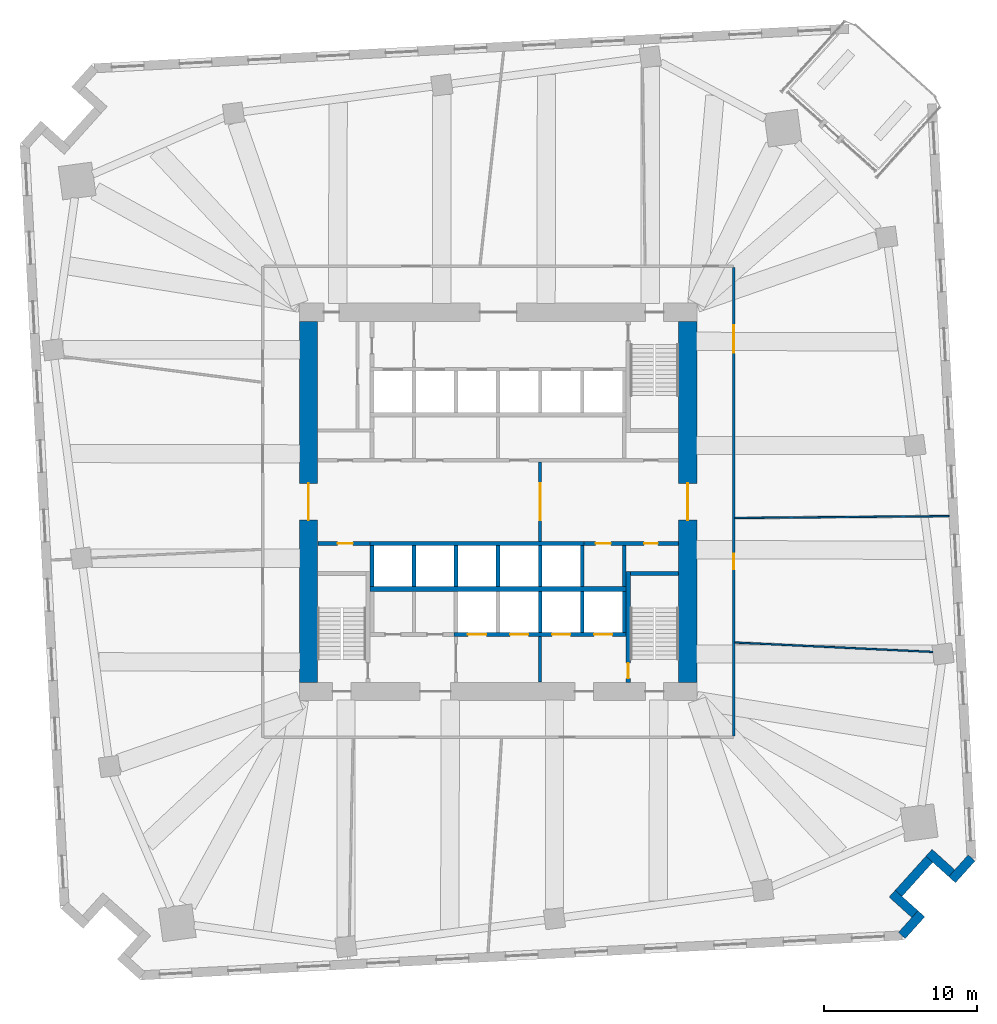
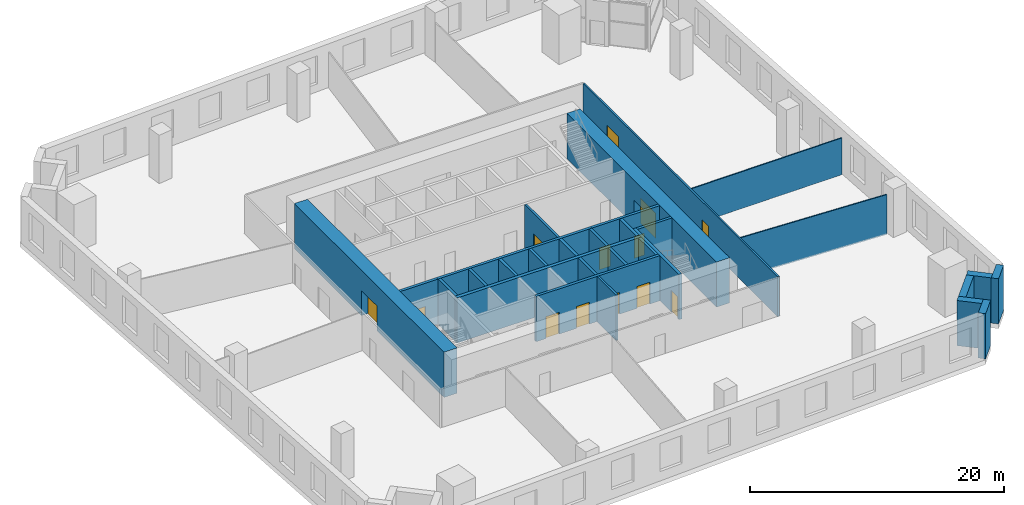
# One storey, part 5 of 10: 29 walls, 13 doors, 13 openings.
"""IFC4 building model written with IfcOpenShell, lengths in metres."""

from ifc_helpers import new_model, si_unit, direction, frame, frame_2d, origin, place, context, subcontext, project, spatial, rectangle, extrude, material, layer, layer_set, type_object, element, fill, save


model = new_model("IFC4")

# Units and contexts
model_context = context("Model", 3, precision=1e-05, world=origin(), true_north=direction((0.0, 1.0)))
body_context = subcontext(model_context, "Body", "Model", "MODEL_VIEW")
ifc_project = project(units=[si_unit("LENGTHUNIT", "METRE"), si_unit("AREAUNIT", "SQUARE_METRE"), si_unit("VOLUMEUNIT", "CUBIC_METRE"), si_unit("PLANEANGLEUNIT", "RADIAN"), si_unit("MASSUNIT", "GRAM", prefix="KILO")], contexts=[model_context])

# Site, building, storey
site_placement = place(None, origin())
site = spatial("IfcSite", under=ifc_project, at=site_placement, CompositionType="ELEMENT")
building_placement = place(site_placement, origin())
building = spatial("IfcBuilding", under=site, at=building_placement, Name="Dilmun Exchange Tower", CompositionType="ELEMENT")
storey_placement = place(building_placement, frame((0.0, 0.0, 27.300048828125)))
storey = spatial("IfcBuildingStorey", under=building, at=storey_placement, Name="L06", CompositionType="ELEMENT", Elevation=27.300048828125)

# Wall
ifc_material_1 = material(Name="Concrete C40/50", Category="concrete")
ifc_layer_1 = layer(ifc_material_1, 0.199951171875)
ifc_layer_set_1 = layer_set([ifc_layer_1], Name="Concrete C40/50")
wall_type_1 = type_object("IfcWallType", Name="Core partition wall 200", PredefinedType="PARTITIONING", material=ifc_layer_set_1)
wall_1_placement = place(storey_placement, frame((2.75, -11.794921875, 0.0), z_axis=(0.0, 0.0, 1.0), x_axis=(0.0, 1.0, 0.0)))
element("IfcWall", 1, at=wall_1_placement, inside=storey, type_object=wall_type_1, Name="L06 core partition wall 02", PredefinedType="PARTITIONING", context=body_context, shape_type="SweptSolid", body=[
    extrude(rectangle(XDim=2.989990234375, YDim=0.199951171875, at=frame_2d((1.4951171875, 0.0))), origin(), (0.0, 0.0, 1.0), 4.349853515625),
])

# Wall, opening, door
wall_2_placement = place(storey_placement, frame((2.75, -2.594970703125, 0.0), z_axis=(0.0, 0.0, 1.0), x_axis=(0.0, 1.0, 0.0)))
wall_2 = element("IfcWall", 2, at=wall_2_placement, inside=storey, type_object=wall_type_1, Name="L06 core partition wall 09", PredefinedType="PARTITIONING", context=body_context, shape_type="SweptSolid", body=[
    extrude(rectangle(XDim=5.18994140625, YDim=0.199951171875, at=frame_2d((2.594970703125, 0.0))), origin(), (0.0, 0.0, 1.0), 4.349853515625),
])
opening_1_placement = place(wall_2_placement, frame((1.39501953125, 0.0, 0.0)))
opening_1 = element("IfcOpeningElement", 3, at=opening_1_placement, cuts=wall_2, Name="Opening CD1", PredefinedType="OPENING", context=body_context, shape_type="SweptSolid", body=[
    extrude(rectangle(XDim=2.39990234375, YDim=2.39990234375, at=frame_2d((1.199951171875, 1.199951171875))), frame((0.0, 0.10986328125, 0.0), z_axis=(0.0, -1.0, 0.0), x_axis=(1.0, 0.0, 0.0)), (0.0, 0.0, 1.0), 0.219970703125),
])
ifc_material_2 = material(Name="Fire-rated steel door set", Category="steel")
door_type_1 = type_object("IfcDoorType", Name="Core lobby door 2400x2400", OperationType="DOUBLE_DOOR_DOUBLE_SWING", PredefinedType="DOOR", material=ifc_material_2)
door_1_placement = place(opening_1_placement, origin())
door_1 = element("IfcDoor", 4, at=door_1_placement, inside=storey, type_object=door_type_1, Name="L06 door Lift lobby east", OperationType="SINGLE_SWING_LEFT", OverallHeight=2.39990234375, OverallWidth=2.39990234375, PredefinedType="DOOR", context=body_context, shape_type="SweptSolid", body=[
    extrude(rectangle(XDim=2.39990234375, YDim=2.39990234375, at=frame_2d((1.199951171875, 1.199951171875))), frame((0.0, 0.02490234375, 0.0), z_axis=(0.0, -1.0, 0.0), x_axis=(1.0, 0.0, 0.0)), (0.0, 0.0, 1.0), 0.050048828125),
])
fill(opening_1, door_1)

# Wall
ifc_layer_2 = layer(ifc_material_1, 0.25)
ifc_layer_set_2 = layer_set([ifc_layer_2], Name="Concrete C40/50")
wall_type_2 = type_object("IfcWallType", Name="Core partition wall 250", PredefinedType="PARTITIONING", material=ifc_layer_set_2)
wall_3_placement = place(storey_placement, frame((8.25, -5.544921875, 0.0), z_axis=(0.0, 0.0, 1.0), x_axis=(0.0, 1.0, 0.0)))
element("IfcWall", 5, at=wall_3_placement, inside=storey, type_object=wall_type_2, Name="L06 core partition wall 06", PredefinedType="PARTITIONING", context=body_context, shape_type="SweptSolid", body=[
    extrude(rectangle(XDim=2.68994140625, YDim=0.25, at=frame_2d((1.344970703125, 0.0))), origin(), (0.0, 0.0, 1.0), 4.349853515625),
])

# Wall, opening, door
wall_4_placement = place(storey_placement, frame((-11.794921875, -2.72509765625, 0.0), z_axis=(0.0, 0.0, 1.0), x_axis=(1.0, 0.0, 0.0)))
wall_4 = element("IfcWall", 6, at=wall_4_placement, inside=storey, type_object=wall_type_2, Name="L06 core partition wall 07", PredefinedType="PARTITIONING", context=body_context, shape_type="SweptSolid", body=[
    extrude(rectangle(XDim=3.4150390625, YDim=0.25, at=frame_2d((1.70751953125, 0.0))), origin(), (0.0, 0.0, 1.0), 4.349853515625),
])
opening_2_placement = place(wall_4_placement, frame((1.294921875, 0.0, 0.0)))
opening_2 = element("IfcOpeningElement", 7, at=opening_2_placement, cuts=wall_4, Name="Opening CD4", PredefinedType="OPENING", context=body_context, shape_type="SweptSolid", body=[
    extrude(rectangle(XDim=1.0, YDim=2.10009765625, at=frame_2d((0.5, 1.050048828125))), frame((0.0, 0.135009765625, 0.0), z_axis=(0.0, -1.0, 0.0), x_axis=(1.0, 0.0, 0.0)), (0.0, 0.0, 1.0), 0.27001953125),
])
door_type_2 = type_object("IfcDoorType", Name="Core room door 1000x2100", OperationType="SINGLE_SWING_LEFT", PredefinedType="DOOR", material=ifc_material_2)
door_2_placement = place(opening_2_placement, origin())
door_2 = element("IfcDoor", 8, at=door_2_placement, inside=storey, type_object=door_type_2, Name="L06 door Accessible WC", OperationType="SINGLE_SWING_LEFT", OverallHeight=2.10009765625, OverallWidth=1.0, PredefinedType="DOOR", context=body_context, shape_type="SweptSolid", body=[
    extrude(rectangle(XDim=1.0, YDim=2.10009765625, at=frame_2d((0.5, 1.050048828125))), frame((0.0, 0.02490234375, 0.0), z_axis=(0.0, -1.0, 0.0), x_axis=(1.0, 0.0, 0.0)), (0.0, 0.0, 1.0), 0.050048828125),
])
fill(opening_2, door_2)

# Wall, openings, doors
wall_5_placement = place(storey_placement, frame((5.6298828125, -2.72509765625, 0.0), z_axis=(0.0, 0.0, 1.0), x_axis=(1.0, 0.0, 0.0)))
wall_5 = element("IfcWall", 9, at=wall_5_placement, inside=storey, type_object=wall_type_2, Name="L06 core partition wall 08", PredefinedType="PARTITIONING", context=body_context, shape_type="SweptSolid", body=[
    extrude(rectangle(XDim=6.1650390625, YDim=0.25, at=frame_2d((3.08251953125, 0.0))), origin(), (0.0, 0.0, 1.0), 4.349853515625),
])
opening_3_placement = place(wall_5_placement, frame((0.7451171875, 0.0, 0.0)))
opening_3 = element("IfcOpeningElement", 10, at=opening_3_placement, cuts=wall_5, Name="Opening CD4", PredefinedType="OPENING", context=body_context, shape_type="SweptSolid", body=[
    extrude(rectangle(XDim=1.0, YDim=2.10009765625, at=frame_2d((0.5, 1.050048828125))), frame((0.0, 0.135009765625, 0.0), z_axis=(0.0, -1.0, 0.0), x_axis=(1.0, 0.0, 0.0)), (0.0, 0.0, 1.0), 0.27001953125),
])
opening_4_placement = place(wall_5_placement, frame((3.919921875, 0.0, 0.0)))
opening_4 = element("IfcOpeningElement", 11, at=opening_4_placement, cuts=wall_5, Name="Opening CD6", PredefinedType="OPENING", context=body_context, shape_type="SweptSolid", body=[
    extrude(rectangle(XDim=0.89990234375, YDim=2.10009765625, at=frame_2d((0.449951171875, 1.050048828125))), frame((0.0, 0.135009765625, 0.0), z_axis=(0.0, -1.0, 0.0), x_axis=(1.0, 0.0, 0.0)), (0.0, 0.0, 1.0), 0.27001953125),
])
door_3_placement = place(opening_3_placement, origin())
door_3 = element("IfcDoor", 12, at=door_3_placement, inside=storey, type_object=door_type_2, Name="L06 door Cleaners' store", OperationType="SINGLE_SWING_LEFT", OverallHeight=2.10009765625, OverallWidth=1.0, PredefinedType="DOOR", context=body_context, shape_type="SweptSolid", body=[
    extrude(rectangle(XDim=1.0, YDim=2.10009765625, at=frame_2d((0.5, 1.050048828125))), frame((0.0, 0.02490234375, 0.0), z_axis=(0.0, -1.0, 0.0), x_axis=(1.0, 0.0, 0.0)), (0.0, 0.0, 1.0), 0.050048828125),
])
fill(opening_3, door_3)
door_type_3 = type_object("IfcDoorType", Name="Core room door 900x2100", OperationType="SINGLE_SWING_LEFT", PredefinedType="DOOR", material=ifc_material_2)
door_4_placement = place(opening_4_placement, origin())
door_4 = element("IfcDoor", 13, at=door_4_placement, inside=storey, type_object=door_type_3, Name="L06 door Comms riser", OperationType="SINGLE_SWING_LEFT", OverallHeight=2.10009765625, OverallWidth=0.89990234375, PredefinedType="DOOR", context=body_context, shape_type="SweptSolid", body=[
    extrude(rectangle(XDim=0.89990234375, YDim=2.10009765625, at=frame_2d((0.449951171875, 1.050048828125))), frame((0.0, 0.02490234375, 0.0), z_axis=(0.0, -1.0, 0.0), x_axis=(1.0, 0.0, 0.0)), (0.0, 0.0, 1.0), 0.050048828125),
])
fill(opening_4, door_4)

# Wall, opening, door
ifc_material_3 = material(Name="Concrete C80/95", Category="concrete")
ifc_layer_3 = layer(ifc_material_3, 1.199951171875)
ifc_layer_set_3 = layer_set([ifc_layer_3], Name="Concrete C80/95")
wall_type_3 = type_object("IfcWallType", Name="Core shear wall 1200 Concrete C80/95", PredefinedType="SHEAR", material=ifc_layer_set_3)
wall_6_placement = place(storey_placement, frame((12.39990234375, -11.800048828125, 0.0), z_axis=(0.0, 0.0, 1.0), x_axis=(0.0, 1.0, 0.0)))
wall_6 = element("IfcWall", 14, at=wall_6_placement, inside=storey, type_object=wall_type_3, Name="L06 core shear wall E", PredefinedType="SHEAR", context=body_context, shape_type="SweptSolid", body=[
    extrude(rectangle(XDim=23.60009765625, YDim=1.199951171875, at=frame_2d((11.800048828125, 0.0))), origin(), (0.0, 0.0, 1.0), 4.349853515625),
])
opening_5_placement = place(wall_6_placement, frame((10.60009765625, 0.0, 0.0)))
opening_5 = element("IfcOpeningElement", 15, at=opening_5_placement, cuts=wall_6, Name="Opening CD1", PredefinedType="OPENING", context=body_context, shape_type="SweptSolid", body=[
    extrude(rectangle(XDim=2.39990234375, YDim=2.39990234375, at=frame_2d((1.199951171875, 1.199951171875))), frame((0.0, 0.60986328125, 0.0), z_axis=(0.0, -1.0, 0.0), x_axis=(1.0, 0.0, 0.0)), (0.0, 0.0, 1.0), 1.219970703125),
])
door_5_placement = place(opening_5_placement, origin())
door_5 = element("IfcDoor", 16, at=door_5_placement, inside=storey, type_object=door_type_1, Name="L06 door Central lift lobby", OperationType="SINGLE_SWING_LEFT", OverallHeight=2.39990234375, OverallWidth=2.39990234375, PredefinedType="DOOR", context=body_context, shape_type="SweptSolid", body=[
    extrude(rectangle(XDim=2.39990234375, YDim=2.39990234375, at=frame_2d((1.199951171875, 1.199951171875))), frame((0.0, 0.02490234375, 0.0), z_axis=(0.0, -1.0, 0.0), x_axis=(1.0, 0.0, 0.0)), (0.0, 0.0, 1.0), 0.050048828125),
])
fill(opening_5, door_5)

wall_7_placement = place(storey_placement, frame((-12.39990234375, -11.800048828125, 0.0), z_axis=(0.0, 0.0, 1.0), x_axis=(0.0, 1.0, 0.0)))
wall_7 = element("IfcWall", 17, at=wall_7_placement, inside=storey, type_object=wall_type_3, Name="L06 core shear wall W", PredefinedType="SHEAR", context=body_context, shape_type="SweptSolid", body=[
    extrude(rectangle(XDim=23.60009765625, YDim=1.199951171875, at=frame_2d((11.800048828125, 0.0))), origin(), (0.0, 0.0, 1.0), 4.349853515625),
])
opening_6_placement = place(wall_7_placement, frame((10.60009765625, 0.0, 0.0)))
opening_6 = element("IfcOpeningElement", 18, at=opening_6_placement, cuts=wall_7, Name="Opening CD1", PredefinedType="OPENING", context=body_context, shape_type="SweptSolid", body=[
    extrude(rectangle(XDim=2.39990234375, YDim=2.39990234375, at=frame_2d((1.199951171875, 1.199951171875))), frame((0.0, 0.60986328125, 0.0), z_axis=(0.0, -1.0, 0.0), x_axis=(1.0, 0.0, 0.0)), (0.0, 0.0, 1.0), 1.219970703125),
])
door_6_placement = place(opening_6_placement, origin())
door_6 = element("IfcDoor", 19, at=door_6_placement, inside=storey, type_object=door_type_1, Name="L06 door Central lift lobby", OperationType="SINGLE_SWING_LEFT", OverallHeight=2.39990234375, OverallWidth=2.39990234375, PredefinedType="DOOR", context=body_context, shape_type="SweptSolid", body=[
    extrude(rectangle(XDim=2.39990234375, YDim=2.39990234375, at=frame_2d((1.199951171875, 1.199951171875))), frame((0.0, 0.02490234375, 0.0), z_axis=(0.0, -1.0, 0.0), x_axis=(1.0, 0.0, 0.0)), (0.0, 0.0, 1.0), 0.050048828125),
])
fill(opening_6, door_6)

# Wall, openings, doors
ifc_material_4 = material(Name="Corridor wall 150")
ifc_layer_4 = layer(ifc_material_4, 0.14990234375)
ifc_layer_set_4 = layer_set([ifc_layer_4], Name="Corridor wall 150")
wall_type_4 = type_object("IfcWallType", Name="Corridor wall 150", PredefinedType="PARTITIONING", material=ifc_layer_set_4)
wall_8_placement = place(storey_placement, frame((15.39990234375, -15.324951171875, 0.0), z_axis=(0.0, 0.0, 1.0), x_axis=(0.0, 1.0, 0.0)))
wall_8 = element("IfcWall", 20, at=wall_8_placement, inside=storey, type_object=wall_type_4, Name="Corridor wall", PredefinedType="PARTITIONING", context=body_context, shape_type="SweptSolid", body=[
    extrude(rectangle(XDim=30.64990234375, YDim=0.14990234375, at=frame_2d((15.324951171875, 0.0))), origin(), (0.0, 0.0, 1.0), 3.849853515625),
])
opening_7_placement = place(wall_8_placement, frame((25.067626953125, 0.0, 0.0)))
opening_7 = element("IfcOpeningElement", 21, at=opening_7_placement, cuts=wall_8, Name="Opening TF05-D11", PredefinedType="OPENING", context=body_context, shape_type="SweptSolid", body=[
    extrude(rectangle(XDim=1.800048828125, YDim=2.10009765625, at=frame_2d((0.89990234375, 1.050048828125))), frame((0.0, 0.0849609375, 0.0), z_axis=(0.0, -1.0, 0.0), x_axis=(1.0, 0.0, 0.0)), (0.0, 0.0, 1.0), 0.169921875),
])
opening_8_placement = place(wall_8_placement, frame((10.927490234375, 0.0, 0.0)))
opening_8 = element("IfcOpeningElement", 22, at=opening_8_placement, cuts=wall_8, Name="Opening TF05-D13", PredefinedType="OPENING", context=body_context, shape_type="SweptSolid", body=[
    extrude(rectangle(XDim=1.0, YDim=2.10009765625, at=frame_2d((0.5, 1.050048828125))), frame((0.0, 0.0849609375, 0.0), z_axis=(0.0, -1.0, 0.0), x_axis=(1.0, 0.0, 0.0)), (0.0, 0.0, 1.0), 0.169921875),
])
ifc_material_5 = material(Name="Fire door 1000 x 2100")
door_type_4 = type_object("IfcDoorType", Name="Fire door 1000 x 2100", OperationType="NOTDEFINED", PredefinedType="DOOR", material=ifc_material_5)
door_7_placement = place(opening_8_placement, frame((1.0, 0.0, 0.0), z_axis=(0.0, 0.0, 1.0), x_axis=(-1.0, 0.0, 0.0)))
door_7 = element("IfcDoor", 23, at=door_7_placement, inside=storey, type_object=door_type_4, Name="Door TF05-D13", OperationType="SINGLE_SWING_RIGHT", OverallHeight=2.10009765625, OverallWidth=1.0, PredefinedType="DOOR", context=body_context, shape_type="SweptSolid", body=[
    extrude(rectangle(XDim=1.0, YDim=2.10009765625, at=frame_2d((0.5, 1.050048828125))), frame((0.0, 0.02490234375, 0.0), z_axis=(0.0, -1.0, 0.0), x_axis=(1.0, 0.0, 0.0)), (0.0, 0.0, 1.0), 0.050048828125),
])
fill(opening_8, door_7)
ifc_material_6 = material(Name="Fire door pair 1800 x 2100")
door_type_5 = type_object("IfcDoorType", Name="Fire door pair 1800 x 2100", OperationType="NOTDEFINED", PredefinedType="DOOR", material=ifc_material_6)
door_8_placement = place(opening_7_placement, frame((1.800048828125, 0.0, 0.0), z_axis=(0.0, 0.0, 1.0), x_axis=(-1.0, 0.0, 0.0)))
door_8 = element("IfcDoor", 24, at=door_8_placement, inside=storey, type_object=door_type_5, Name="Door TF05-D11", OperationType="DOUBLE_DOOR_SINGLE_SWING", OverallHeight=2.10009765625, OverallWidth=1.800048828125, PredefinedType="DOOR", context=body_context, shape_type="SweptSolid", body=[
    extrude(rectangle(XDim=1.800048828125, YDim=2.10009765625, at=frame_2d((0.89990234375, 1.050048828125))), frame((0.0, 0.02490234375, 0.0), z_axis=(0.0, -1.0, 0.0), x_axis=(1.0, 0.0, 0.0)), (0.0, 0.0, 1.0), 0.050048828125),
])
fill(opening_7, door_8)

# Walls
ifc_layer_5 = layer(ifc_material_1, 0.300048828125)
ifc_layer_set_5 = layer_set([ifc_layer_5], Name="Concrete C40/50")
wall_type_5 = type_object("IfcWallType", Name="Lift shaft shared wall 300", PredefinedType="SOLIDWALL", material=ifc_layer_set_5)
wall_9_placement = place(storey_placement, frame((-8.375, -5.699951171875, 0.0), z_axis=(0.0, 0.0, 1.0), x_axis=(1.0, 0.0, 0.0)))
element("IfcWall", 25, at=wall_9_placement, inside=storey, type_object=wall_type_5, Name="L06 lift shaft rear wall S", PredefinedType="SOLIDWALL", context=body_context, shape_type="SweptSolid", body=[
    extrude(rectangle(XDim=16.75, YDim=0.300048828125, at=frame_2d((8.375, 0.0))), origin(), (0.0, 0.0, 1.0), 4.349853515625),
])
ifc_layer_6 = layer(ifc_material_1, 0.25)
ifc_layer_set_6 = layer_set([ifc_layer_6], Name="Concrete C40/50")
wall_type_6 = type_object("IfcWallType", Name="Lift shaft wall 250", PredefinedType="SOLIDWALL", material=ifc_layer_set_6)
wall_10_placement = place(storey_placement, frame((-8.375, -2.72509765625, 0.0), z_axis=(0.0, 0.0, 1.0), x_axis=(1.0, 0.0, 0.0)))
element("IfcWall", 26, at=wall_10_placement, inside=storey, type_object=wall_type_6, Name="L06 lift shaft front wall S1", PredefinedType="SOLIDWALL", context=body_context, shape_type="SweptSolid", body=[
    extrude(rectangle(XDim=14.0, YDim=0.25, at=frame_2d((7.0, 0.0))), origin(), (0.0, 0.0, 1.0), 4.349853515625),
])
for number, where, z_axis, x_axis, name in (
    (27, (-8.25, -5.550048828125, 0.0), (0.0, 0.0, 1.0), (0.0, 1.0, 0.0), "L06 lift shaft divider S10"),
    (28, (-5.5, -5.550048828125, 0.0), (0.0, 0.0, 1.0), (0.0, 1.0, 0.0), "L06 lift shaft divider S11"),
    (29, (-2.75, -5.550048828125, 0.0), (0.0, 0.0, 1.0), (0.0, 1.0, 0.0), "L06 lift shaft divider S12"),
    (30, (0.0, -5.550048828125, 0.0), (0.0, 0.0, 1.0), (0.0, 1.0, 0.0), "L06 lift shaft divider S13"),
    (31, (2.75, -5.550048828125, 0.0), (0.0, 0.0, 1.0), (0.0, 1.0, 0.0), "L06 lift shaft divider S14"),
    (32, (5.5, -5.550048828125, 0.0), (0.0, 0.0, 1.0), (0.0, 1.0, 0.0), "L06 lift shaft divider S15"),
):
    element("IfcWall", number, at=place(storey_placement, frame(where, z_axis=z_axis, x_axis=x_axis)), inside=storey, type_object=wall_type_6, Name=name, PredefinedType="SOLIDWALL", context=body_context, shape_type="SweptSolid", body=[
        extrude(rectangle(XDim=2.699951171875, YDim=0.25, at=frame_2d((1.35009765625, 0.0))), origin(), (0.0, 0.0, 1.0), 4.349853515625),
    ])

# Wall, openings, doors
wall_11_placement = place(storey_placement, frame((-2.875, -8.675048828125, 0.0), z_axis=(0.0, 0.0, 1.0), x_axis=(1.0, 0.0, 0.0)))
wall_11 = element("IfcWall", 33, at=wall_11_placement, inside=storey, type_object=wall_type_6, Name="L06 lift shaft front wall S2", PredefinedType="SOLIDWALL", context=body_context, shape_type="SweptSolid", body=[
    extrude(rectangle(XDim=11.25, YDim=0.25, at=frame_2d((5.625, 0.0))), origin(), (0.0, 0.0, 1.0), 4.349853515625),
])
opening_9_placement = place(wall_11_placement, frame((0.89990234375, 0.0, 0.0)))
opening_9 = element("IfcOpeningElement", 34, at=opening_9_placement, cuts=wall_11, Name="Opening LD", PredefinedType="OPENING", context=body_context, shape_type="SweptSolid", body=[
    extrude(rectangle(XDim=1.199951171875, YDim=2.10009765625, at=frame_2d((0.60009765625, 1.050048828125))), frame((0.0, 0.135009765625, 0.0), z_axis=(0.0, -1.0, 0.0), x_axis=(1.0, 0.0, 0.0)), (0.0, 0.0, 1.0), 0.27001953125),
])
opening_10_placement = place(wall_11_placement, frame((3.64990234375, 0.0, 0.0)))
opening_10 = element("IfcOpeningElement", 35, at=opening_10_placement, cuts=wall_11, Name="Opening LD", PredefinedType="OPENING", context=body_context, shape_type="SweptSolid", body=[
    extrude(rectangle(XDim=1.199951171875, YDim=2.10009765625, at=frame_2d((0.60009765625, 1.050048828125))), frame((0.0, 0.135009765625, 0.0), z_axis=(0.0, -1.0, 0.0), x_axis=(1.0, 0.0, 0.0)), (0.0, 0.0, 1.0), 0.27001953125),
])
opening_11_placement = place(wall_11_placement, frame((6.39990234375, 0.0, 0.0)))
opening_11 = element("IfcOpeningElement", 36, at=opening_11_placement, cuts=wall_11, Name="Opening LD", PredefinedType="OPENING", context=body_context, shape_type="SweptSolid", body=[
    extrude(rectangle(XDim=1.199951171875, YDim=2.10009765625, at=frame_2d((0.60009765625, 1.050048828125))), frame((0.0, 0.135009765625, 0.0), z_axis=(0.0, -1.0, 0.0), x_axis=(1.0, 0.0, 0.0)), (0.0, 0.0, 1.0), 0.27001953125),
])
opening_12_placement = place(wall_11_placement, frame((9.14990234375, 0.0, 0.0)))
opening_12 = element("IfcOpeningElement", 37, at=opening_12_placement, cuts=wall_11, Name="Opening LD", PredefinedType="OPENING", context=body_context, shape_type="SweptSolid", body=[
    extrude(rectangle(XDim=1.199951171875, YDim=2.10009765625, at=frame_2d((0.60009765625, 1.050048828125))), frame((0.0, 0.135009765625, 0.0), z_axis=(0.0, -1.0, 0.0), x_axis=(1.0, 0.0, 0.0)), (0.0, 0.0, 1.0), 0.27001953125),
])
door_type_6 = type_object("IfcDoorType", Name="Lift landing door 1200x2100", OperationType="DOUBLE_DOOR_SLIDING", PredefinedType="DOOR", material=ifc_material_2)
door_9_placement = place(opening_9_placement, origin())
door_9 = element("IfcDoor", 38, at=door_9_placement, inside=storey, type_object=door_type_6, Name="L06 landing door SV1", OperationType="DOUBLE_DOOR_SLIDING", OverallHeight=2.10009765625, OverallWidth=1.199951171875, PredefinedType="DOOR", context=body_context, shape_type="SweptSolid", body=[
    extrude(rectangle(XDim=1.199951171875, YDim=2.10009765625, at=frame_2d((0.60009765625, 1.050048828125))), frame((0.0, 0.02490234375, 0.0), z_axis=(0.0, -1.0, 0.0), x_axis=(1.0, 0.0, 0.0)), (0.0, 0.0, 1.0), 0.050048828125),
])
fill(opening_9, door_9)
door_10_placement = place(opening_10_placement, origin())
door_10 = element("IfcDoor", 39, at=door_10_placement, inside=storey, type_object=door_type_6, Name="L06 landing door SV2", OperationType="DOUBLE_DOOR_SLIDING", OverallHeight=2.10009765625, OverallWidth=1.199951171875, PredefinedType="DOOR", context=body_context, shape_type="SweptSolid", body=[
    extrude(rectangle(XDim=1.199951171875, YDim=2.10009765625, at=frame_2d((0.60009765625, 1.050048828125))), frame((0.0, 0.02490234375, 0.0), z_axis=(0.0, -1.0, 0.0), x_axis=(1.0, 0.0, 0.0)), (0.0, 0.0, 1.0), 0.050048828125),
])
fill(opening_10, door_10)
door_11_placement = place(opening_11_placement, origin())
door_11 = element("IfcDoor", 40, at=door_11_placement, inside=storey, type_object=door_type_6, Name="L06 landing door FF1", OperationType="DOUBLE_DOOR_SLIDING", OverallHeight=2.10009765625, OverallWidth=1.199951171875, PredefinedType="DOOR", context=body_context, shape_type="SweptSolid", body=[
    extrude(rectangle(XDim=1.199951171875, YDim=2.10009765625, at=frame_2d((0.60009765625, 1.050048828125))), frame((0.0, 0.02490234375, 0.0), z_axis=(0.0, -1.0, 0.0), x_axis=(1.0, 0.0, 0.0)), (0.0, 0.0, 1.0), 0.050048828125),
])
fill(opening_11, door_11)
door_12_placement = place(opening_12_placement, origin())
door_12 = element("IfcDoor", 41, at=door_12_placement, inside=storey, type_object=door_type_6, Name="L06 landing door FF2", OperationType="DOUBLE_DOOR_SLIDING", OverallHeight=2.10009765625, OverallWidth=1.199951171875, PredefinedType="DOOR", context=body_context, shape_type="SweptSolid", body=[
    extrude(rectangle(XDim=1.199951171875, YDim=2.10009765625, at=frame_2d((0.60009765625, 1.050048828125))), frame((0.0, 0.02490234375, 0.0), z_axis=(0.0, -1.0, 0.0), x_axis=(1.0, 0.0, 0.0)), (0.0, 0.0, 1.0), 0.050048828125),
])
fill(opening_12, door_12)

# Walls
for number, where, z_axis, x_axis, name in (
    (42, (2.75, -8.550048828125, 0.0), (0.0, 0.0, 1.0), (0.0, 1.0, 0.0), "L06 lift shaft divider S24"),
    (43, (5.5, -8.550048828125, 0.0), (0.0, 0.0, 1.0), (0.0, 1.0, 0.0), "L06 lift shaft divider S25"),
    (44, (8.25, -8.550048828125, 0.0), (0.0, 0.0, 1.0), (0.0, 1.0, 0.0), "L06 lift shaft divider S26"),
):
    element("IfcWall", number, at=place(storey_placement, frame(where, z_axis=z_axis, x_axis=x_axis)), inside=storey, type_object=wall_type_6, Name=name, PredefinedType="SOLIDWALL", context=body_context, shape_type="SweptSolid", body=[
        extrude(rectangle(XDim=2.699951171875, YDim=0.25, at=frame_2d((1.35009765625, 0.0))), origin(), (0.0, 0.0, 1.0), 4.349853515625),
    ])
ifc_material_7 = material(Name="Partition 100")
ifc_layer_7 = layer(ifc_material_7, 0.10009765625)
ifc_layer_set_7 = layer_set([ifc_layer_7], Name="Partition 100")
wall_type_7 = type_object("IfcWallType", Name="Partition 100", PredefinedType="PARTITIONING", material=ifc_layer_set_7)
wall_12_placement = place(storey_placement, frame((15.477294921875, -9.19970703125, 0.0), z_axis=(0.0, 0.0, 1.0), x_axis=(0.998880891155, -0.04729656738, 0.0)))
element("IfcWall", 45, at=wall_12_placement, inside=storey, type_object=wall_type_7, Name="Partition", PredefinedType="PARTITIONING", context=body_context, shape_type="SweptSolid", body=[
    extrude(rectangle(XDim=12.956298828125, YDim=0.10009765625, at=frame_2d((6.47802734375, 0.0))), origin(), (0.0, 0.0, 1.0), 3.849853515625),
])
wall_13_placement = place(storey_placement, frame((15.475341796875, -1.056396484375, 0.0), z_axis=(0.0, 0.0, 1.0), x_axis=(0.999960210713, 0.00892059359, 0.0)))
element("IfcWall", 46, at=wall_13_placement, inside=storey, type_object=wall_type_7, Name="Partition", PredefinedType="PARTITIONING", context=body_context, shape_type="SweptSolid", body=[
    extrude(rectangle(XDim=14.012451171875, YDim=0.10009765625, at=frame_2d((7.00634765625, 0.0))), origin(), (0.0, 0.0, 1.0), 3.550048828125),
])
ifc_material_8 = material(Name="Precast concrete C50/60", Category="concrete")
ifc_layer_8 = layer(ifc_material_8, 0.60009765625)
ifc_layer_set_8 = layer_set([ifc_layer_8], Name="Precast concrete C50/60")
wall_type_8 = type_object("IfcWallType", Name="Precast stone-clad wall 600", PredefinedType="STANDARD", material=ifc_layer_set_8)
wall_14_placement = place(storey_placement, frame((26.39599609375, -28.357421875, 0.0), z_axis=(0.0, 0.0, 1.0), x_axis=(0.669091754139, 0.743179806334, 0.0)))
element("IfcWall", 47, at=wall_14_placement, inside=storey, type_object=wall_type_8, Name="Facade wall L06-16", PredefinedType="STANDARD", context=body_context, shape_type="SweptSolid", body=[
    extrude(rectangle(XDim=1.911376953125, YDim=0.60009765625, at=frame_2d((0.95556640625, 0.0))), origin(), (0.0, 0.0, 1.0), 4.349853515625),
])
wall_15_placement = place(storey_placement, frame((27.251220703125, -26.959228515625, 0.0), z_axis=(0.0, 0.0, 1.0), x_axis=(-0.743184876971, 0.669086121991, 0.0)))
element("IfcWall", 48, at=wall_15_placement, inside=storey, type_object=wall_type_8, Name="Facade wall L06-17", PredefinedType="STANDARD", context=body_context, shape_type="SweptSolid", body=[
    extrude(rectangle(XDim=2.0, YDim=0.60009765625, at=frame_2d((1.0, 0.0))), origin(), (0.0, 0.0, 1.0), 4.349853515625),
])
wall_16_placement = place(storey_placement, frame((26.188720703125, -25.598876953125, 0.0), z_axis=(0.0, 0.0, 1.0), x_axis=(0.669108595814, 0.743164643271, 0.0)))
element("IfcWall", 49, at=wall_16_placement, inside=storey, type_object=wall_type_8, Name="Facade wall L06-18", PredefinedType="STANDARD", context=body_context, shape_type="SweptSolid", body=[
    extrude(rectangle(XDim=3.0, YDim=0.60009765625, at=frame_2d((1.5, 0.0))), origin(), (0.0, 0.0, 1.0), 4.349853515625),
])
wall_17_placement = place(storey_placement, frame((28.173828125, -22.94580078125, 0.0), z_axis=(0.0, 0.0, 1.0), x_axis=(0.743184876971, -0.669086121991, 0.0)))
element("IfcWall", 50, at=wall_17_placement, inside=storey, type_object=wall_type_8, Name="Facade wall L06-19", PredefinedType="STANDARD", context=body_context, shape_type="SweptSolid", body=[
    extrude(rectangle(XDim=2.0, YDim=0.60009765625, at=frame_2d((1.0, 0.0))), origin(), (0.0, 0.0, 1.0), 4.349853515625),
])
wall_18_placement = place(storey_placement, frame((29.682373046875, -24.70751953125, 0.0), z_axis=(0.0, 0.0, 1.0), x_axis=(0.669155276156, 0.743122611951, 0.0)))
element("IfcWall", 51, at=wall_18_placement, inside=storey, type_object=wall_type_8, Name="Facade wall L06-20", PredefinedType="STANDARD", context=body_context, shape_type="SweptSolid", body=[
    extrude(rectangle(XDim=1.9111328125, YDim=0.60009765625, at=frame_2d((0.95556640625, 0.0))), origin(), (0.0, 0.0, 1.0), 4.349853515625),
])
ifc_layer_9 = layer(ifc_material_1, 0.25)
ifc_layer_set_9 = layer_set([ifc_layer_9], Name="Concrete C40/50")
wall_type_9 = type_object("IfcWallType", Name="Stair end wall 250", PredefinedType="SOLIDWALL", material=ifc_layer_set_9)
wall_19_placement = place(storey_placement, frame((8.64990234375, -4.675048828125, 0.0), z_axis=(0.0, 0.0, 1.0), x_axis=(1.0, 0.0, 0.0)))
element("IfcWall", 52, at=wall_19_placement, inside=storey, type_object=wall_type_9, Name="L06 ST3 far wall", PredefinedType="SOLIDWALL", context=body_context, shape_type="SweptSolid", body=[
    extrude(rectangle(XDim=3.150146484375, YDim=0.25, at=frame_2d((1.5751953125, 0.0))), origin(), (0.0, 0.0, 1.0), 4.349853515625),
])

# Wall, opening, door
ifc_layer_10 = layer(ifc_material_1, 0.27490234375)
ifc_layer_set_10 = layer_set([ifc_layer_10], Name="Concrete C40/50")
wall_type_10 = type_object("IfcWallType", Name="Stair wall 275", PredefinedType="SOLIDWALL", material=ifc_layer_set_10)
wall_20_placement = place(storey_placement, frame((8.512451171875, -4.550048828125, 0.0), z_axis=(0.0, 0.0, 1.0), x_axis=(0.0, -1.0, 0.0)))
wall_20 = element("IfcWall", 53, at=wall_20_placement, inside=storey, type_object=wall_type_10, Name="L06 ST3 wall to lift block", PredefinedType="SOLIDWALL", context=body_context, shape_type="SweptSolid", body=[
    extrude(rectangle(XDim=7.25, YDim=0.27490234375, at=frame_2d((3.625, 0.0))), origin(), (0.0, 0.0, 1.0), 4.349853515625),
])
opening_13_placement = place(wall_20_placement, frame((6.0, 0.0, 0.0)))
opening_13 = element("IfcOpeningElement", 54, at=opening_13_placement, cuts=wall_20, Name="Opening CD4", PredefinedType="OPENING", context=body_context, shape_type="SweptSolid", body=[
    extrude(rectangle(XDim=1.0, YDim=2.10009765625, at=frame_2d((0.5, 1.050048828125))), frame((0.0, 0.1474609375, 0.0), z_axis=(0.0, -1.0, 0.0), x_axis=(1.0, 0.0, 0.0)), (0.0, 0.0, 1.0), 0.294921875),
])
door_13_placement = place(opening_13_placement, origin())
door_13 = element("IfcDoor", 55, at=door_13_placement, inside=storey, type_object=door_type_2, Name="L06 door ST3 from lobby", OperationType="SINGLE_SWING_LEFT", OverallHeight=2.10009765625, OverallWidth=1.0, PredefinedType="DOOR", context=body_context, shape_type="SweptSolid", body=[
    extrude(rectangle(XDim=1.0, YDim=2.10009765625, at=frame_2d((0.5, 1.050048828125))), frame((0.0, 0.02490234375, 0.0), z_axis=(0.0, -1.0, 0.0), x_axis=(1.0, 0.0, 0.0)), (0.0, 0.0, 1.0), 0.050048828125),
])
fill(opening_13, door_13)

save(model, "model.ifc")
